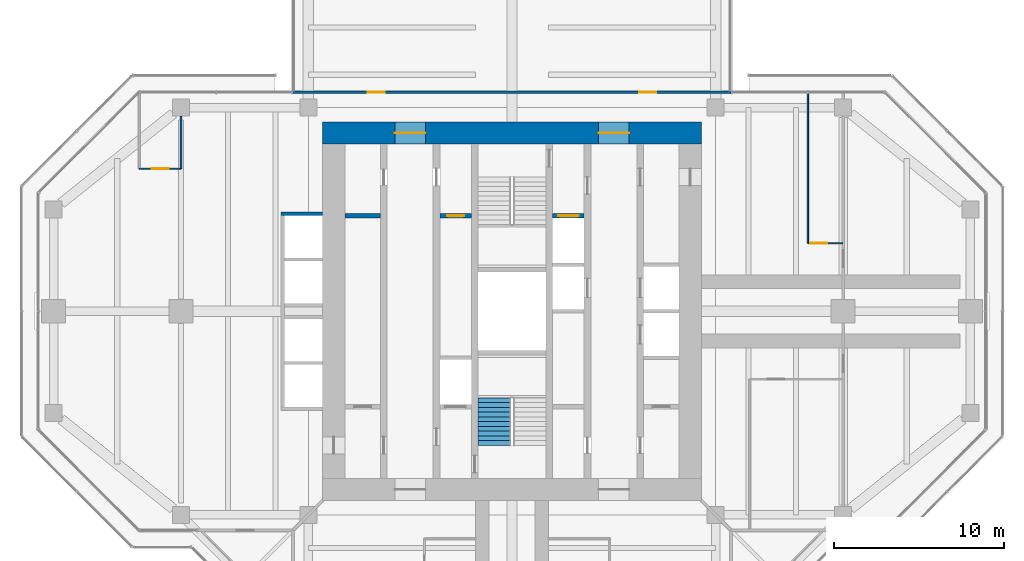
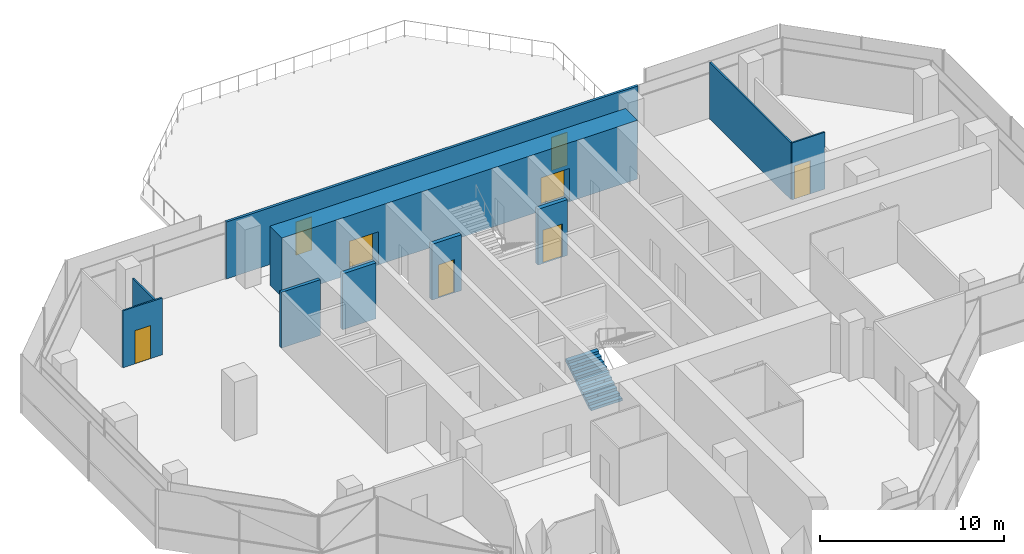
# One storey, part 13 of 15: 10 walls, 8 doors, 1 stair flight, 8 openings, 1 element without a shape of its own.
"""IFC4 building model written with IfcOpenShell, lengths in metres."""

from ifc_helpers import new_model, si_unit, direction, frame, frame_2d, origin, place, context, subcontext, project, spatial, polyline, rectangle, outline, extrude, material, layer, layer_set, type_object, element, fill, aggregate, save


model = new_model("IFC4")

# Units and contexts
model_context = context("Model", 3, precision=1e-05, world=origin(), true_north=direction((0.0, 1.0)))
body_context = subcontext(model_context, "Body", "Model", "MODEL_VIEW")
ifc_project = project(units=[si_unit("LENGTHUNIT", "METRE"), si_unit("AREAUNIT", "SQUARE_METRE"), si_unit("VOLUMEUNIT", "CUBIC_METRE"), si_unit("PLANEANGLEUNIT", "RADIAN"), si_unit("MASSUNIT", "GRAM", prefix="KILO")], contexts=[model_context])

# Site, building, storey
site_placement = place(None, origin())
site = spatial("IfcSite", under=ifc_project, at=site_placement, CompositionType="ELEMENT")
building_placement = place(site_placement, origin())
building = spatial("IfcBuilding", under=site, at=building_placement, Name="Mizan Broadcast Tower", CompositionType="ELEMENT")
storey_placement = place(building_placement, frame((0.0, 0.0, 267.300048828125)))
storey = spatial("IfcBuildingStorey", under=building, at=storey_placement, Name="L63", CompositionType="ELEMENT", Elevation=267.300048828125)

# Wall, openings, doors
ifc_material_1 = material(Name="Concrete C70/85", Category="concrete")
ifc_layer_1 = layer(ifc_material_1, 1.300048828125)
ifc_layer_set_1 = layer_set([ifc_layer_1], Name="Concrete C70/85")
wall_type_1 = type_object("IfcWallType", Name="CORE WALL 1300", PredefinedType="SHEAR", material=ifc_layer_set_1)
wall_1_placement = place(storey_placement, frame((-11.14990234375, 10.5, 0.0), z_axis=(0.0, 0.0, 1.0), x_axis=(1.0, 0.0, 0.0)))
wall_1 = element("IfcWall", 1, at=wall_1_placement, inside=storey, type_object=wall_type_1, Name="Core wall N L63", PredefinedType="SHEAR", context=body_context, shape_type="SweptSolid", body=[
    extrude(rectangle(XDim=22.2998046875, YDim=1.300048828125, at=frame_2d((11.14990234375, 0.0))), origin(), (0.0, 0.0, 1.0), 3.89990234375),
])
opening_1_placement = place(wall_1_placement, frame((4.25, 0.0, 0.0)))
opening_1 = element("IfcOpeningElement", 2, at=opening_1_placement, cuts=wall_1, Name="Opening D18F", PredefinedType="OPENING", context=body_context, shape_type="SweptSolid", body=[
    extrude(rectangle(XDim=1.800048828125, YDim=2.199951171875, at=frame_2d((0.89990234375, 1.10009765625))), frame((0.0, 0.659912109375, 0.0), z_axis=(0.0, -1.0, 0.0), x_axis=(1.0, 0.0, 0.0)), (0.0, 0.0, 1.0), 1.320068359375),
])
opening_2_placement = place(wall_1_placement, frame((16.25, 0.0, 0.0)))
opening_2 = element("IfcOpeningElement", 3, at=opening_2_placement, cuts=wall_1, Name="Opening D18F", PredefinedType="OPENING", context=body_context, shape_type="SweptSolid", body=[
    extrude(rectangle(XDim=1.800048828125, YDim=2.199951171875, at=frame_2d((0.89990234375, 1.10009765625))), frame((0.0, 0.659912109375, 0.0), z_axis=(0.0, -1.0, 0.0), x_axis=(1.0, 0.0, 0.0)), (0.0, 0.0, 1.0), 1.320068359375),
])
ifc_material_2 = material(Name="Steel door leaf in steel frame", Category="steel")
door_type_1 = type_object("IfcDoorType", Name="LOBBY DOUBLE DOOR 1800 FD90", OperationType="DOUBLE_DOOR_DOUBLE_SWING", PredefinedType="DOOR", material=ifc_material_2)
door_1_placement = place(opening_1_placement, origin())
door_1 = element("IfcDoor", 4, at=door_1_placement, inside=storey, type_object=door_type_1, Name="West lift lobby north door", OperationType="DOUBLE_DOOR_DOUBLE_SWING", OverallHeight=2.199951171875, OverallWidth=1.800048828125, PredefinedType="DOOR", context=body_context, shape_type="SweptSolid", body=[
    extrude(rectangle(XDim=1.800048828125, YDim=2.199951171875, at=frame_2d((0.89990234375, 1.10009765625))), frame((0.0, 0.02490234375, 0.0), z_axis=(0.0, -1.0, 0.0), x_axis=(1.0, 0.0, 0.0)), (0.0, 0.0, 1.0), 0.050048828125),
])
fill(opening_1, door_1)
door_2_placement = place(opening_2_placement, origin())
door_2 = element("IfcDoor", 5, at=door_2_placement, inside=storey, type_object=door_type_1, Name="East lift lobby north door", OperationType="DOUBLE_DOOR_DOUBLE_SWING", OverallHeight=2.199951171875, OverallWidth=1.800048828125, PredefinedType="DOOR", context=body_context, shape_type="SweptSolid", body=[
    extrude(rectangle(XDim=1.800048828125, YDim=2.199951171875, at=frame_2d((0.89990234375, 1.10009765625))), frame((0.0, 0.02490234375, 0.0), z_axis=(0.0, -1.0, 0.0), x_axis=(1.0, 0.0, 0.0)), (0.0, 0.0, 1.0), 0.050048828125),
])
fill(opening_2, door_2)

ifc_material_3 = material(Name="Aluminium framed glazed screen", Category="aluminium")
ifc_layer_2 = layer(ifc_material_3, 0.159912109375)
ifc_layer_set_2 = layer_set([ifc_layer_2], Name="Aluminium framed glazed screen")
wall_type_2 = type_object("IfcWallType", Name="GLAZED SCREEN WALL 160", PredefinedType="SOLIDWALL", material=ifc_layer_set_2)
wall_2_placement = place(storey_placement, frame((12.89990234375, 12.89990234375, 0.0), z_axis=(0.0, 0.0, 1.0), x_axis=(-1.0, 0.0, 0.0)))
wall_2 = element("IfcWall", 6, at=wall_2_placement, inside=storey, type_object=wall_type_2, Name="Terrace screen wall L63", PredefinedType="SOLIDWALL", context=body_context, shape_type="SweptSolid", body=[
    extrude(rectangle(XDim=25.7998046875, YDim=0.159912109375, at=frame_2d((12.89990234375, 0.0))), origin(), (0.0, 0.0, 1.0), 3.77001953125),
])
opening_3_placement = place(wall_2_placement, frame((4.39990234375, 0.0, 0.0)))
opening_3 = element("IfcOpeningElement", 7, at=opening_3_placement, cuts=wall_2, Name="Opening TD", PredefinedType="OPENING", context=body_context, shape_type="SweptSolid", body=[
    extrude(rectangle(XDim=1.0, YDim=2.199951171875, at=frame_2d((0.5, 1.10009765625))), frame((0.0, 0.08984375, 0.0), z_axis=(0.0, -1.0, 0.0), x_axis=(1.0, 0.0, 0.0)), (0.0, 0.0, 1.0), 0.179931640625),
])
opening_4_placement = place(wall_2_placement, frame((20.39990234375, 0.0, 0.0)))
opening_4 = element("IfcOpeningElement", 8, at=opening_4_placement, cuts=wall_2, Name="Opening TD", PredefinedType="OPENING", context=body_context, shape_type="SweptSolid", body=[
    extrude(rectangle(XDim=1.0, YDim=2.199951171875, at=frame_2d((0.5, 1.10009765625))), frame((0.0, 0.08984375, 0.0), z_axis=(0.0, -1.0, 0.0), x_axis=(1.0, 0.0, 0.0)), (0.0, 0.0, 1.0), 0.179931640625),
])
ifc_material_4 = material(Name="Aluminium framed glazed door", Category="aluminium")
door_type_2 = type_object("IfcDoorType", Name="TERRACE DOOR 1000 GLAZED", OperationType="SINGLE_SWING_LEFT", PredefinedType="DOOR", material=ifc_material_4)
door_3_placement = place(opening_3_placement, origin())
door_3 = element("IfcDoor", 9, at=door_3_placement, inside=storey, type_object=door_type_2, Name="Terrace door 1", OperationType="SINGLE_SWING_LEFT", OverallHeight=2.199951171875, OverallWidth=1.0, PredefinedType="DOOR", context=body_context, shape_type="SweptSolid", body=[
    extrude(rectangle(XDim=1.0, YDim=2.199951171875, at=frame_2d((0.5, 1.10009765625))), frame((0.0, 0.02490234375, 0.0), z_axis=(0.0, -1.0, 0.0), x_axis=(1.0, 0.0, 0.0)), (0.0, 0.0, 1.0), 0.050048828125),
])
fill(opening_3, door_3)
door_4_placement = place(opening_4_placement, origin())
door_4 = element("IfcDoor", 10, at=door_4_placement, inside=storey, type_object=door_type_2, Name="Terrace door 2", OperationType="SINGLE_SWING_RIGHT", OverallHeight=2.199951171875, OverallWidth=1.0, PredefinedType="DOOR", context=body_context, shape_type="SweptSolid", body=[
    extrude(rectangle(XDim=1.0, YDim=2.199951171875, at=frame_2d((0.5, 1.10009765625))), frame((0.0, 0.02490234375, 0.0), z_axis=(0.0, -1.0, 0.0), x_axis=(1.0, 0.0, 0.0)), (0.0, 0.0, 1.0), 0.050048828125),
])
fill(opening_4, door_4)

# Walls
ifc_material_5 = material(Name="Concrete blockwork", Category="masonry")
ifc_layer_3 = layer(ifc_material_5, 0.199951171875)
ifc_layer_set_3 = layer_set([ifc_layer_3], Name="Concrete blockwork")
wall_type_3 = type_object("IfcWallType", Name="LIFT SHAFT WALL 200", PredefinedType="SOLIDWALL", material=ifc_layer_set_3)
wall_3_placement = place(storey_placement, frame((-11.14990234375, 5.75, 0.0), z_axis=(0.0, 0.0, 1.0), x_axis=(-1.0, 0.0, 0.0)))
element("IfcWall", 11, at=wall_3_placement, inside=storey, type_object=wall_type_3, Name="Lift shaft wall LC/S1", PredefinedType="SOLIDWALL", context=body_context, shape_type="SweptSolid", body=[
    extrude(rectangle(XDim=2.4501953125, YDim=0.199951171875, at=frame_2d((1.22509765625, 0.0))), origin(), (0.0, 0.0, 1.0), 3.699951171875),
])
ifc_material_6 = material(Name="Concrete blockwork", Category="masonry")
ifc_layer_4 = layer(ifc_material_6, 0.25)
ifc_layer_set_4 = layer_set([ifc_layer_4], Name="Concrete blockwork")
wall_type_4 = type_object("IfcWallType", Name="LOBBY ENCLOSURE WALL 250", PredefinedType="SOLIDWALL", material=ifc_layer_set_4)
wall_4_placement = place(storey_placement, frame((-9.85009765625, 5.625, 0.0), z_axis=(0.0, 0.0, 1.0), x_axis=(1.0, 0.0, 0.0)))
element("IfcWall", 12, at=wall_4_placement, inside=storey, type_object=wall_type_4, Name="Lobby enclosure wall CORE/BW1N", PredefinedType="SOLIDWALL", context=body_context, shape_type="SweptSolid", body=[
    extrude(rectangle(XDim=2.10009765625, YDim=0.25, at=frame_2d((1.050048828125, 0.0))), origin(), (0.0, 0.0, 1.0), 3.699951171875),
])

# Wall, opening, door
wall_5_placement = place(storey_placement, frame((-4.25, 5.625, 0.0), z_axis=(0.0, 0.0, 1.0), x_axis=(1.0, 0.0, 0.0)))
wall_5 = element("IfcWall", 13, at=wall_5_placement, inside=storey, type_object=wall_type_4, Name="Lobby enclosure wall CORE/BW2N", PredefinedType="SOLIDWALL", context=body_context, shape_type="SweptSolid", body=[
    extrude(rectangle(XDim=1.85009765625, YDim=0.25, at=frame_2d((0.925048828125, 0.0))), origin(), (0.0, 0.0, 1.0), 3.699951171875),
])
opening_5_placement = place(wall_5_placement, frame((0.425048828125, 0.0, 0.0)))
opening_5 = element("IfcOpeningElement", 14, at=opening_5_placement, cuts=wall_5, Name="Opening D10F", PredefinedType="OPENING", context=body_context, shape_type="SweptSolid", body=[
    extrude(rectangle(XDim=1.0, YDim=2.199951171875, at=frame_2d((0.5, 1.10009765625))), frame((0.0, 0.135009765625, 0.0), z_axis=(0.0, -1.0, 0.0), x_axis=(1.0, 0.0, 0.0)), (0.0, 0.0, 1.0), 0.27001953125),
])
ifc_material_7 = material(Name="Steel door leaf in steel frame", Category="steel")
door_type_3 = type_object("IfcDoorType", Name="FIRE DOOR 1000 FD90", OperationType="SINGLE_SWING_LEFT", PredefinedType="DOOR", material=ifc_material_7)
door_5_placement = place(opening_5_placement, origin())
door_5 = element("IfcDoor", 15, at=door_5_placement, inside=storey, type_object=door_type_3, Name="Accessible shower room door", OperationType="SINGLE_SWING_RIGHT", OverallHeight=2.199951171875, OverallWidth=1.0, PredefinedType="DOOR", context=body_context, shape_type="SweptSolid", body=[
    extrude(rectangle(XDim=1.0, YDim=2.199951171875, at=frame_2d((0.5, 1.10009765625))), frame((0.0, 0.02490234375, 0.0), z_axis=(0.0, -1.0, 0.0), x_axis=(1.0, 0.0, 0.0)), (0.0, 0.0, 1.0), 0.050048828125),
])
fill(opening_5, door_5)

wall_6_placement = place(storey_placement, frame((2.39990234375, 5.625, 0.0), z_axis=(0.0, 0.0, 1.0), x_axis=(1.0, 0.0, 0.0)))
wall_6 = element("IfcWall", 16, at=wall_6_placement, inside=storey, type_object=wall_type_4, Name="Lobby enclosure wall CORE/BE2N", PredefinedType="SOLIDWALL", context=body_context, shape_type="SweptSolid", body=[
    extrude(rectangle(XDim=1.85009765625, YDim=0.25, at=frame_2d((0.925048828125, 0.0))), origin(), (0.0, 0.0, 1.0), 3.699951171875),
])
opening_6_placement = place(wall_6_placement, frame((0.324951171875, 0.0, 0.0)))
opening_6 = element("IfcOpeningElement", 17, at=opening_6_placement, cuts=wall_6, Name="Opening LDF", PredefinedType="OPENING", context=body_context, shape_type="SweptSolid", body=[
    extrude(rectangle(XDim=1.199951171875, YDim=2.199951171875, at=frame_2d((0.60009765625, 1.10009765625))), frame((0.0, 0.135009765625, 0.0), z_axis=(0.0, -1.0, 0.0), x_axis=(1.0, 0.0, 0.0)), (0.0, 0.0, 1.0), 0.27001953125),
])
ifc_material_8 = material(Name="Steel door leaf in steel frame", Category="steel")
door_type_4 = type_object("IfcDoorType", Name="FIREFIGHTING LIFT LANDING DOOR 1200", OperationType="SLIDING_TO_LEFT", PredefinedType="DOOR", material=ifc_material_8)
door_6_placement = place(opening_6_placement, origin())
door_6 = element("IfcDoor", 18, at=door_6_placement, inside=storey, type_object=door_type_4, Name="Landing door FF2", OperationType="SLIDING_TO_LEFT", OverallHeight=2.199951171875, OverallWidth=1.199951171875, PredefinedType="DOOR", context=body_context, shape_type="SweptSolid", body=[
    extrude(rectangle(XDim=1.199951171875, YDim=2.199951171875, at=frame_2d((0.60009765625, 1.10009765625))), frame((0.0, 0.02490234375, 0.0), z_axis=(0.0, -1.0, 0.0), x_axis=(1.0, 0.0, 0.0)), (0.0, 0.0, 1.0), 0.050048828125),
])
fill(opening_6, door_6)

ifc_material_9 = material(Name="Glazed aluminium partition on aluminium track", Category="aluminium")
ifc_layer_5 = layer(ifc_material_9, 0.10009765625)
ifc_layer_set_5 = layer_set([ifc_layer_5], Name="Glazed aluminium partition on aluminium track")
wall_type_5 = type_object("IfcWallType", Name="PARTITION GLAZED OFFICE FRONT 100", PredefinedType="PARTITIONING", material=ifc_layer_set_5)
wall_7_placement = place(storey_placement, frame((17.428955078125, 4.0, 0.0), z_axis=(0.0, 0.0, 1.0), x_axis=(1.0, 0.0, 0.0)))
wall_7 = element("IfcWall", 19, at=wall_7_placement, inside=storey, type_object=wall_type_5, Name="Glazed office front PT/ECP0", PredefinedType="PARTITIONING", context=body_context, shape_type="SweptSolid", body=[
    extrude(rectangle(XDim=2.071044921875, YDim=0.10009765625, at=frame_2d((1.03564453125, 0.0))), origin(), (0.0, 0.0, 1.0), 3.77001953125),
])
opening_7_placement = place(wall_7_placement, frame((0.14990234375, 0.0, 0.0)))
opening_7 = element("IfcOpeningElement", 20, at=opening_7_placement, cuts=wall_7, Name="Opening D10O", PredefinedType="OPENING", context=body_context, shape_type="SweptSolid", body=[
    extrude(rectangle(XDim=1.0, YDim=2.199951171875, at=frame_2d((0.5, 1.10009765625))), frame((0.0, 0.06005859375, 0.0), z_axis=(0.0, -1.0, 0.0), x_axis=(1.0, 0.0, 0.0)), (0.0, 0.0, 1.0), 0.1201171875),
])
ifc_material_10 = material(Name="Timber door leaf in aluminium frame", Category="wood")
door_type_5 = type_object("IfcDoorType", Name="OFFICE DOOR 1000 GLAZED", OperationType="SINGLE_SWING_LEFT", PredefinedType="DOOR", material=ifc_material_10)
door_7_placement = place(opening_7_placement, origin())
door_7 = element("IfcDoor", 21, at=door_7_placement, inside=storey, type_object=door_type_5, Name="Engineering office door", OperationType="SINGLE_SWING_LEFT", OverallHeight=2.199951171875, OverallWidth=1.0, PredefinedType="DOOR", context=body_context, shape_type="SweptSolid", body=[
    extrude(rectangle(XDim=1.0, YDim=2.199951171875, at=frame_2d((0.5, 1.10009765625))), frame((0.0, 0.02490234375, 0.0), z_axis=(0.0, -1.0, 0.0), x_axis=(1.0, 0.0, 0.0)), (0.0, 0.0, 1.0), 0.050048828125),
])
fill(opening_7, door_7)

# Wall
wall_8_placement = place(storey_placement, frame((17.428955078125, 4.0, 0.0), z_axis=(0.0, 0.0, 1.0), x_axis=(0.0, 1.0, 0.0)))
element("IfcWall", 22, at=wall_8_placement, inside=storey, type_object=wall_type_5, Name="Glazed office front PT/EQP1743", PredefinedType="PARTITIONING", context=body_context, shape_type="SweptSolid", body=[
    extrude(rectangle(XDim=8.820068359375, YDim=0.10009765625, at=frame_2d((4.41015625, 0.0))), origin(), (0.0, 0.0, 1.0), 3.77001953125),
])

# Wall, opening, door
wall_9_placement = place(storey_placement, frame((-19.5, 8.39990234375, 0.0), z_axis=(0.0, 0.0, 1.0), x_axis=(-1.0, 0.0, 0.0)))
wall_9 = element("IfcWall", 23, at=wall_9_placement, inside=storey, type_object=wall_type_5, Name="Glazed office front PT/WCN0", PredefinedType="PARTITIONING", context=body_context, shape_type="SweptSolid", body=[
    extrude(rectangle(XDim=2.458984375, YDim=0.10009765625, at=frame_2d((1.2294921875, 0.0))), origin(), (0.0, 0.0, 1.0), 3.77001953125),
])
opening_8_placement = place(wall_9_placement, frame((0.7294921875, 0.0, 0.0)))
opening_8 = element("IfcOpeningElement", 24, at=opening_8_placement, cuts=wall_9, Name="Opening D10O", PredefinedType="OPENING", context=body_context, shape_type="SweptSolid", body=[
    extrude(rectangle(XDim=1.0, YDim=2.199951171875, at=frame_2d((0.5, 1.10009765625))), frame((0.0, 0.06005859375, 0.0), z_axis=(0.0, -1.0, 0.0), x_axis=(1.0, 0.0, 0.0)), (0.0, 0.0, 1.0), 0.1201171875),
])
door_8_placement = place(opening_8_placement, origin())
door_8 = element("IfcDoor", 25, at=door_8_placement, inside=storey, type_object=door_type_5, Name="Office door", OperationType="SINGLE_SWING_LEFT", OverallHeight=2.199951171875, OverallWidth=1.0, PredefinedType="DOOR", context=body_context, shape_type="SweptSolid", body=[
    extrude(rectangle(XDim=1.0, YDim=2.199951171875, at=frame_2d((0.5, 1.10009765625))), frame((0.0, 0.02490234375, 0.0), z_axis=(0.0, -1.0, 0.0), x_axis=(1.0, 0.0, 0.0)), (0.0, 0.0, 1.0), 0.050048828125),
])
fill(opening_8, door_8)

# Wall
wall_10_placement = place(storey_placement, frame((-19.5, 8.39990234375, 0.0), z_axis=(0.0, 0.0, 1.0), x_axis=(0.0, 1.0, 0.0)))
element("IfcWall", 26, at=wall_10_placement, inside=storey, type_object=wall_type_5, Name="Glazed office front PT/WQN1950", PredefinedType="PARTITIONING", context=body_context, shape_type="SweptSolid", body=[
    extrude(rectangle(XDim=3.10009765625, YDim=0.10009765625, at=frame_2d((1.550048828125, 0.0))), origin(), (0.0, 0.0, 1.0), 3.179931640625),
])

# Stair, stair flight
ifc_material_11 = material(Name="Concrete C40/50", Category="concrete")
stair_type = type_object("IfcStairType", Name="EXIT STAIR", PredefinedType="HALF_TURN_STAIR", material=ifc_material_11)
stair_placement = place(storey_placement, origin())
stair = element("IfcStair", 27, at=stair_placement, inside=storey, type_object=stair_type, Name="Stair A L63", PredefinedType="HALF_TURN_STAIR")
ifc_material_12 = material(Name="Concrete C40/50", Category="concrete")
stair_flight_type = type_object("IfcStairFlightType", Name="EXIT STAIR FLIGHT", PredefinedType="STRAIGHT", material=ifc_material_12)
stair_flight_placement = place(storey_placement, frame((-1.02490234375, -7.89990234375, 0.0), z_axis=(0.0, 0.0, 1.0), x_axis=(0.0, 1.0, 0.0)))
stair_flight = element("IfcStairFlight", 28, at=stair_flight_placement, type_object=stair_flight_type, Name="A flight 1", NumberOfRisers=11, NumberOfTreads=10, PredefinedType="STRAIGHT", RiserHeight=0.177272727, TreadLength=0.28, context=body_context, shape_type="SweptSolid", body=[
    extrude(outline(polyline([(0.0, 0.0), (0.0, 0.17724609375), (0.280029296875, 0.17724609375), (0.280029296875, 0.3544921875), (0.56005859375, 0.3544921875), (0.56005859375, 0.53173828125), (0.840087890625, 0.53173828125), (0.840087890625, 0.708984375), (1.1201171875, 0.708984375), (1.1201171875, 0.886474609375), (1.39990234375, 0.886474609375), (1.39990234375, 1.063720703125), (1.679931640625, 1.063720703125), (1.679931640625, 1.240966796875), (1.9599609375, 1.240966796875), (1.9599609375, 1.418212890625), (2.239990234375, 1.418212890625), (2.239990234375, 1.595458984375), (2.52001953125, 1.595458984375), (2.52001953125, 1.772705078125), (2.800048828125, 1.772705078125), (2.800048828125, 1.949951171875), (2.800048828125, 1.59521484375), (0.2802734375, 0.0), (0.0, 0.0)])), frame((0.0, 0.97509765625, 0.0), z_axis=(0.0, -1.0, 0.0), x_axis=(1.0, 0.0, 0.0)), (0.0, 0.0, 1.0), 0.4873046875),
    extrude(outline(polyline([(0.0, 0.0), (0.0, 0.17724609375), (0.280029296875, 0.17724609375), (0.280029296875, 0.3544921875), (0.56005859375, 0.3544921875), (0.56005859375, 0.53173828125), (0.840087890625, 0.53173828125), (0.840087890625, 0.708984375), (1.1201171875, 0.708984375), (1.1201171875, 0.886474609375), (1.39990234375, 0.886474609375), (1.39990234375, 1.063720703125), (1.679931640625, 1.063720703125), (1.679931640625, 1.240966796875), (1.9599609375, 1.240966796875), (1.9599609375, 1.418212890625), (2.239990234375, 1.418212890625), (2.239990234375, 1.595458984375), (2.52001953125, 1.595458984375), (2.52001953125, 1.772705078125), (2.800048828125, 1.772705078125), (2.800048828125, 1.949951171875), (2.800048828125, 1.59521484375), (0.2802734375, 0.0), (0.0, 0.0)])), frame((0.0, 0.4873046875, 0.0), z_axis=(0.0, -1.0, 0.0), x_axis=(1.0, 0.0, 0.0)), (0.0, 0.0, 1.0), 0.2431640625),
    extrude(outline(polyline([(0.0, 0.0), (0.0, 0.17724609375), (0.280029296875, 0.17724609375), (0.280029296875, 0.3544921875), (0.56005859375, 0.3544921875), (0.56005859375, 0.53173828125), (0.840087890625, 0.53173828125), (0.840087890625, 0.708984375), (1.1201171875, 0.708984375), (1.1201171875, 0.886474609375), (1.39990234375, 0.886474609375), (1.39990234375, 1.063720703125), (1.679931640625, 1.063720703125), (1.679931640625, 1.240966796875), (1.9599609375, 1.240966796875), (1.9599609375, 1.418212890625), (2.239990234375, 1.418212890625), (2.239990234375, 1.595458984375), (2.52001953125, 1.595458984375), (2.52001953125, 1.772705078125), (2.800048828125, 1.772705078125), (2.800048828125, 1.949951171875), (2.800048828125, 1.59521484375), (0.2802734375, 0.0), (0.0, 0.0)])), frame((0.0, 0.24365234375, 0.0), z_axis=(0.0, -1.0, 0.0), x_axis=(1.0, 0.0, 0.0)), (0.0, 0.0, 1.0), 0.121337890625),
    extrude(outline(polyline([(0.0, 0.0), (0.0, 0.17724609375), (0.280029296875, 0.17724609375), (0.280029296875, 0.3544921875), (0.56005859375, 0.3544921875), (0.56005859375, 0.53173828125), (0.840087890625, 0.53173828125), (0.840087890625, 0.708984375), (1.1201171875, 0.708984375), (1.1201171875, 0.886474609375), (1.39990234375, 0.886474609375), (1.39990234375, 1.063720703125), (1.679931640625, 1.063720703125), (1.679931640625, 1.240966796875), (1.9599609375, 1.240966796875), (1.9599609375, 1.418212890625), (2.239990234375, 1.418212890625), (2.239990234375, 1.595458984375), (2.52001953125, 1.595458984375), (2.52001953125, 1.772705078125), (2.800048828125, 1.772705078125), (2.800048828125, 1.949951171875), (2.800048828125, 1.59521484375), (0.2802734375, 0.0), (0.0, 0.0)])), frame((0.0, 0.121826171875, 0.0), z_axis=(0.0, -1.0, 0.0), x_axis=(1.0, 0.0, 0.0)), (0.0, 0.0, 1.0), 0.060546875),
    extrude(outline(polyline([(0.0, 0.0), (0.0, 0.17724609375), (0.280029296875, 0.17724609375), (0.280029296875, 0.3544921875), (0.56005859375, 0.3544921875), (0.56005859375, 0.53173828125), (0.840087890625, 0.53173828125), (0.840087890625, 0.708984375), (1.1201171875, 0.708984375), (1.1201171875, 0.886474609375), (1.39990234375, 0.886474609375), (1.39990234375, 1.063720703125), (1.679931640625, 1.063720703125), (1.679931640625, 1.240966796875), (1.9599609375, 1.240966796875), (1.9599609375, 1.418212890625), (2.239990234375, 1.418212890625), (2.239990234375, 1.595458984375), (2.52001953125, 1.595458984375), (2.52001953125, 1.772705078125), (2.800048828125, 1.772705078125), (2.800048828125, 1.949951171875), (2.800048828125, 1.59521484375), (0.2802734375, 0.0), (0.0, 0.0)])), frame((0.0, 0.060791015625, 0.0), z_axis=(0.0, -1.0, 0.0), x_axis=(1.0, 0.0, 0.0)), (0.0, 0.0, 1.0), 0.030029296875),
    extrude(outline(polyline([(0.0, 0.0), (0.0, 0.17724609375), (0.280029296875, 0.17724609375), (0.280029296875, 0.3544921875), (0.56005859375, 0.3544921875), (0.56005859375, 0.53173828125), (0.840087890625, 0.53173828125), (0.840087890625, 0.708984375), (1.1201171875, 0.708984375), (1.1201171875, 0.886474609375), (1.39990234375, 0.886474609375), (1.39990234375, 1.063720703125), (1.679931640625, 1.063720703125), (1.679931640625, 1.240966796875), (1.9599609375, 1.240966796875), (1.9599609375, 1.418212890625), (2.239990234375, 1.418212890625), (2.239990234375, 1.595458984375), (2.52001953125, 1.595458984375), (2.52001953125, 1.772705078125), (2.800048828125, 1.772705078125), (2.800048828125, 1.949951171875), (2.800048828125, 1.59521484375), (0.2802734375, 0.0), (0.0, 0.0)])), frame((0.0, 0.0302734375, 0.0), z_axis=(0.0, -1.0, 0.0), x_axis=(1.0, 0.0, 0.0)), (0.0, 0.0, 1.0), 0.060302734375),
    extrude(outline(polyline([(0.0, 0.0), (0.0, 0.17724609375), (0.280029296875, 0.17724609375), (0.280029296875, 0.3544921875), (0.56005859375, 0.3544921875), (0.56005859375, 0.53173828125), (0.840087890625, 0.53173828125), (0.840087890625, 0.708984375), (1.1201171875, 0.708984375), (1.1201171875, 0.886474609375), (1.39990234375, 0.886474609375), (1.39990234375, 1.063720703125), (1.679931640625, 1.063720703125), (1.679931640625, 1.240966796875), (1.9599609375, 1.240966796875), (1.9599609375, 1.418212890625), (2.239990234375, 1.418212890625), (2.239990234375, 1.595458984375), (2.52001953125, 1.595458984375), (2.52001953125, 1.772705078125), (2.800048828125, 1.772705078125), (2.800048828125, 1.949951171875), (2.800048828125, 1.59521484375), (0.2802734375, 0.0), (0.0, 0.0)])), frame((0.0, -0.030517578125, 0.0), z_axis=(0.0, -1.0, 0.0), x_axis=(1.0, 0.0, 0.0)), (0.0, 0.0, 1.0), 0.030029296875),
    extrude(outline(polyline([(0.0, 0.0), (0.0, 0.17724609375), (0.280029296875, 0.17724609375), (0.280029296875, 0.3544921875), (0.56005859375, 0.3544921875), (0.56005859375, 0.53173828125), (0.840087890625, 0.53173828125), (0.840087890625, 0.708984375), (1.1201171875, 0.708984375), (1.1201171875, 0.886474609375), (1.39990234375, 0.886474609375), (1.39990234375, 1.063720703125), (1.679931640625, 1.063720703125), (1.679931640625, 1.240966796875), (1.9599609375, 1.240966796875), (1.9599609375, 1.418212890625), (2.239990234375, 1.418212890625), (2.239990234375, 1.595458984375), (2.52001953125, 1.595458984375), (2.52001953125, 1.772705078125), (2.800048828125, 1.772705078125), (2.800048828125, 1.949951171875), (2.800048828125, 1.59521484375), (0.2802734375, 0.0), (0.0, 0.0)])), frame((0.0, -0.06103515625, 0.0), z_axis=(0.0, -1.0, 0.0), x_axis=(1.0, 0.0, 0.0)), (0.0, 0.0, 1.0), 0.060546875),
    extrude(outline(polyline([(0.0, 0.0), (0.0, 0.17724609375), (0.280029296875, 0.17724609375), (0.280029296875, 0.3544921875), (0.56005859375, 0.3544921875), (0.56005859375, 0.53173828125), (0.840087890625, 0.53173828125), (0.840087890625, 0.708984375), (1.1201171875, 0.708984375), (1.1201171875, 0.886474609375), (1.39990234375, 0.886474609375), (1.39990234375, 1.063720703125), (1.679931640625, 1.063720703125), (1.679931640625, 1.240966796875), (1.9599609375, 1.240966796875), (1.9599609375, 1.418212890625), (2.239990234375, 1.418212890625), (2.239990234375, 1.595458984375), (2.52001953125, 1.595458984375), (2.52001953125, 1.772705078125), (2.800048828125, 1.772705078125), (2.800048828125, 1.949951171875), (2.800048828125, 1.59521484375), (0.2802734375, 0.0), (0.0, 0.0)])), frame((0.0, -0.1220703125, 0.0), z_axis=(0.0, -1.0, 0.0), x_axis=(1.0, 0.0, 0.0)), (0.0, 0.0, 1.0), 0.121337890625),
    extrude(outline(polyline([(0.0, 0.0), (0.0, 0.17724609375), (0.280029296875, 0.17724609375), (0.280029296875, 0.3544921875), (0.56005859375, 0.3544921875), (0.56005859375, 0.53173828125), (0.840087890625, 0.53173828125), (0.840087890625, 0.708984375), (1.1201171875, 0.708984375), (1.1201171875, 0.886474609375), (1.39990234375, 0.886474609375), (1.39990234375, 1.063720703125), (1.679931640625, 1.063720703125), (1.679931640625, 1.240966796875), (1.9599609375, 1.240966796875), (1.9599609375, 1.418212890625), (2.239990234375, 1.418212890625), (2.239990234375, 1.595458984375), (2.52001953125, 1.595458984375), (2.52001953125, 1.772705078125), (2.800048828125, 1.772705078125), (2.800048828125, 1.949951171875), (2.800048828125, 1.59521484375), (0.2802734375, 0.0), (0.0, 0.0)])), frame((0.0, -0.243896484375, 0.0), z_axis=(0.0, -1.0, 0.0), x_axis=(1.0, 0.0, 0.0)), (0.0, 0.0, 1.0), 0.2431640625),
    extrude(outline(polyline([(0.0, 0.0), (0.0, 0.17724609375), (0.280029296875, 0.17724609375), (0.280029296875, 0.3544921875), (0.56005859375, 0.3544921875), (0.56005859375, 0.53173828125), (0.840087890625, 0.53173828125), (0.840087890625, 0.708984375), (1.1201171875, 0.708984375), (1.1201171875, 0.886474609375), (1.39990234375, 0.886474609375), (1.39990234375, 1.063720703125), (1.679931640625, 1.063720703125), (1.679931640625, 1.240966796875), (1.9599609375, 1.240966796875), (1.9599609375, 1.418212890625), (2.239990234375, 1.418212890625), (2.239990234375, 1.595458984375), (2.52001953125, 1.595458984375), (2.52001953125, 1.772705078125), (2.800048828125, 1.772705078125), (2.800048828125, 1.949951171875), (2.800048828125, 1.59521484375), (0.2802734375, 0.0), (0.0, 0.0)])), frame((0.0, -0.487548828125, 0.0), z_axis=(0.0, -1.0, 0.0), x_axis=(1.0, 0.0, 0.0)), (0.0, 0.0, 1.0), 0.4873046875),
])
aggregate(stair, [stair_flight])

save(model, "model.ifc")
